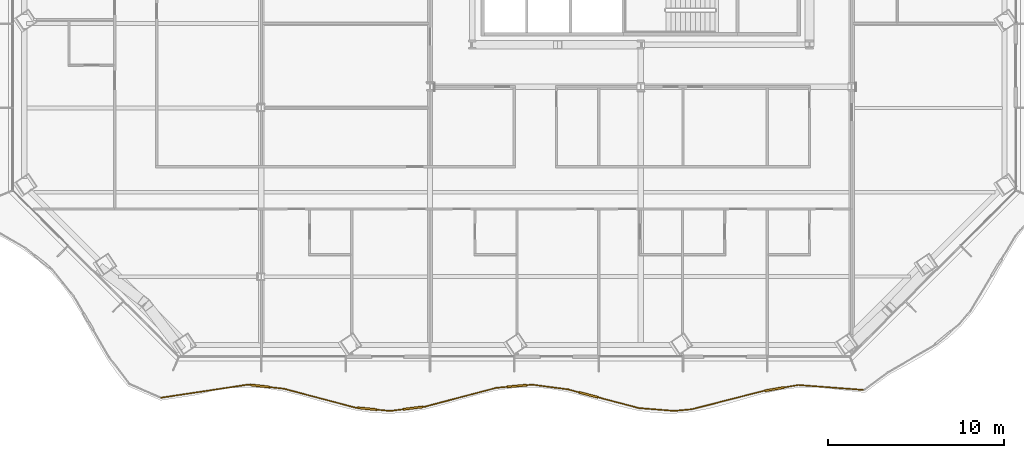
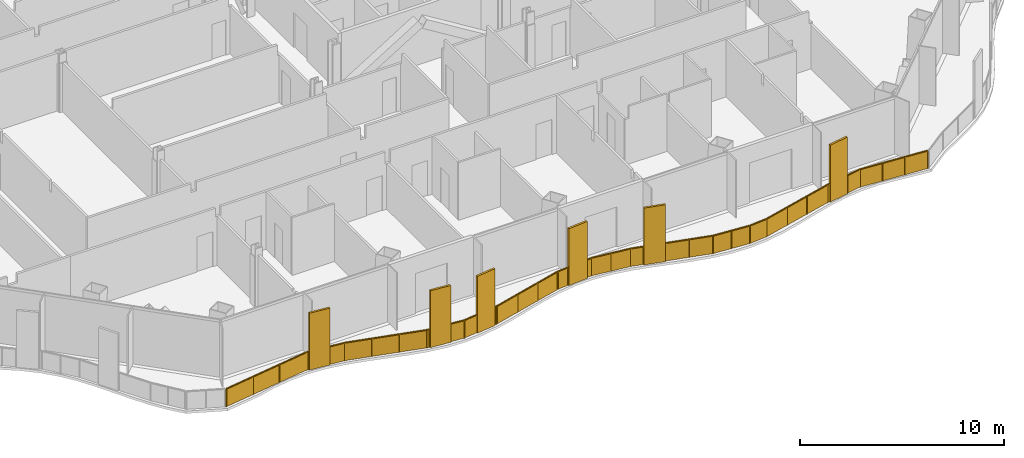
# One storey, part 15 of 20: 1 railing.
"""IFC4 building model written with IfcOpenShell, lengths in metres."""

from ifc_helpers import new_model, si_unit, direction, frame, origin, origin_2d, place, context, subcontext, project, spatial, polyline, rectangle, outline, extrude, material, type_object, element, save


model = new_model("IFC4")

# Units and contexts
model_context = context("Model", 3, precision=1e-05, world=origin(), true_north=direction((0.0, 1.0)))
body_context = subcontext(model_context, "Body", "Model", "MODEL_VIEW")
ifc_project = project(units=[si_unit("LENGTHUNIT", "METRE"), si_unit("AREAUNIT", "SQUARE_METRE"), si_unit("VOLUMEUNIT", "CUBIC_METRE"), si_unit("PLANEANGLEUNIT", "RADIAN"), si_unit("MASSUNIT", "GRAM", prefix="KILO")], contexts=[model_context])

# Site, building, storey
site_placement = place(None, origin())
site = spatial("IfcSite", under=ifc_project, at=site_placement, CompositionType="ELEMENT")
building_placement = place(site_placement, origin())
building = spatial("IfcBuilding", under=site, at=building_placement, Name="Cairn Pilgrim Tower", CompositionType="ELEMENT")
storey_placement = place(building_placement, frame((0.0, 0.0, 87.0)))
storey = spatial("IfcBuildingStorey", under=building, at=storey_placement, Name="L20", CompositionType="ELEMENT", Elevation=87.0)

# Railing
ifc_material = material(Name="Bronze anodised aluminium rail, posts and fin screens with laminated glass infill", Category="aluminium")
railing_type = type_object("IfcRailingType", Name="BALCONY GUARD WITH FIN SCREENS", PredefinedType="GUARDRAIL", material=ifc_material)
railing_placement = place(storey_placement, frame((-20.111572265625, -26.09521484375, 0.0)))
element("IfcRailing", 1, at=railing_placement, inside=storey, type_object=railing_type, Name="Balcony guard BGF-1 with fin screens", PredefinedType="GUARDRAIL", context=body_context, shape_type="SweptSolid", body=[
    extrude(rectangle(XDim=0.050048828125, YDim=0.050048828125, at=origin_2d()), frame((0.0, 0.0, 1.0751953125), z_axis=(0.988827717566, 0.149062889324, 0.0), x_axis=(-0.149062889324, 0.988827717566, 0.0)), (0.0, 0.0, 1.0), 5.0068359375),
    extrude(rectangle(XDim=1.10009765625, YDim=0.110107421875, at=origin_2d()), frame((5.646484375, 0.666259765625, 0.0), z_axis=(0.0, 0.0, 1.0), x_axis=(0.99343169529, -0.114426687416, 0.0)), (0.0, 0.0, 1.0), 3.39990234375),
    extrude(rectangle(XDim=0.050048828125, YDim=0.050048828125, at=origin_2d()), frame((4.950927734375, 0.746337890625, 1.0751953125), z_axis=(0.99343169529, -0.114426687416, 0.0), x_axis=(0.114426687416, 0.99343169529, 0.0)), (0.0, 0.0, 1.0), 0.150146484375),
    extrude(rectangle(XDim=0.050048828125, YDim=0.050048828125, at=origin_2d()), frame((6.19287109375, 0.603271484375, 1.0751953125), z_axis=(0.99343169529, -0.114426687416, 0.0), x_axis=(0.114426687416, 0.99343169529, 0.0)), (0.0, 0.0, 1.0), 0.815185546875),
    extrude(rectangle(XDim=0.050048828125, YDim=0.050048828125, at=origin_2d()), frame((7.002685546875, 0.510009765625, 1.0751953125), z_axis=(0.966779559823, -0.255611585631, 0.0), x_axis=(0.255611585631, 0.966779559823, 0.0)), (0.0, 0.0, 1.0), 4.1796875),
    extrude(rectangle(XDim=1.10009765625, YDim=0.110107421875, at=origin_2d()), frame((11.740234375, -0.62646484375, 0.0), z_axis=(0.0, 0.0, 1.0), x_axis=(0.99526514308, -0.097197196304, 0.0)), (0.0, 0.0, 1.0), 3.39990234375),
    extrude(rectangle(XDim=0.050048828125, YDim=0.050048828125, at=origin_2d()), frame((11.04345703125, -0.558349609375, 1.0751953125), z_axis=(0.99526514308, -0.097197196304, 0.0), x_axis=(0.097197196304, 0.99526514308, 0.0)), (0.0, 0.0, 1.0), 0.150146484375),
    extrude(rectangle(XDim=0.050048828125, YDim=0.050048828125, at=origin_2d()), frame((12.28759765625, -0.679931640625, 1.0751953125), z_axis=(0.99526514308, -0.097197196304, 0.0), x_axis=(0.097197196304, 0.99526514308, 0.0)), (0.0, 0.0, 1.0), 0.751708984375),
    extrude(rectangle(XDim=1.10009765625, YDim=0.110107421875, at=origin_2d()), frame((14.3359375, -0.591796875, 0.0), z_axis=(0.0, 0.0, 1.0), x_axis=(0.992415549692, 0.122928339815, 0.0)), (0.0, 0.0, 1.0), 3.39990234375),
    extrude(rectangle(XDim=0.050048828125, YDim=0.050048828125, at=origin_2d()), frame((13.035888671875, -0.7529296875, 1.0751953125), z_axis=(0.992415549692, 0.122928339815, 0.0), x_axis=(-0.122928339815, 0.992415549692, 0.0)), (0.0, 0.0, 1.0), 0.759765625),
    extrude(rectangle(XDim=0.050048828125, YDim=0.050048828125, at=origin_2d()), frame((14.881591796875, -0.5244140625, 1.0751953125), z_axis=(0.992415549692, 0.122928339815, 0.0), x_axis=(-0.122928339815, 0.992415549692, 0.0)), (0.0, 0.0, 1.0), 0.14990234375),
    extrude(rectangle(XDim=0.050048828125, YDim=0.050048828125, at=origin_2d()), frame((15.030517578125, -0.505859375, 1.0751953125), z_axis=(0.966883758121, 0.255217159067, 0.0), x_axis=(-0.255217159067, 0.966883758121, 0.0)), (0.0, 0.0, 1.0), 4.18310546875),
    extrude(rectangle(XDim=1.10009765625, YDim=0.110107421875, at=origin_2d()), frame((20.260498046875, 0.666748046875, 0.0), z_axis=(0.0, 0.0, 1.0), x_axis=(0.996097709012, 0.088257317554, 0.0)), (0.0, 0.0, 1.0), 3.39990234375),
    extrude(rectangle(XDim=0.050048828125, YDim=0.050048828125, at=origin_2d()), frame((19.0751953125, 0.561767578125, 1.0751953125), z_axis=(0.996097709012, 0.088257317554, 0.0), x_axis=(-0.088257317554, 0.996097709012, 0.0)), (0.0, 0.0, 1.0), 0.639892578125),
    extrude(rectangle(XDim=0.050048828125, YDim=0.050048828125, at=origin_2d()), frame((20.808349609375, 0.71533203125, 1.0751953125), z_axis=(0.996097709012, 0.088257317554, 0.0), x_axis=(-0.088257317554, 0.996097709012, 0.0)), (0.0, 0.0, 1.0), 0.318115234375),
    extrude(rectangle(XDim=0.050048828125, YDim=0.050048828125, at=origin_2d()), frame((21.125244140625, 0.743408203125, 1.0751953125), z_axis=(0.991364715307, -0.131133524484, 0.0), x_axis=(0.131133524484, 0.991364715307, 0.0)), (0.0, 0.0, 1.0), 2.064697265625),
    extrude(rectangle(XDim=1.10009765625, YDim=0.110107421875, at=origin_2d()), frame((24.337890625, 0.165771484375, 0.0), z_axis=(0.0, 0.0, 1.0), x_axis=(0.967044238459, -0.254608406897, 0.0)), (0.0, 0.0, 1.0), 3.39990234375),
    extrude(rectangle(XDim=0.050048828125, YDim=0.050048828125, at=origin_2d()), frame((23.172119140625, 0.47265625, 1.0751953125), z_axis=(0.967044238459, -0.254608406897, 0.0), x_axis=(0.254608406897, 0.967044238459, 0.0)), (0.0, 0.0, 1.0), 0.655517578125),
    extrude(rectangle(XDim=0.050048828125, YDim=0.050048828125, at=origin_2d()), frame((24.869873046875, 0.025634765625, 1.0751953125), z_axis=(0.967044238459, -0.254608406897, 0.0), x_axis=(0.254608406897, 0.967044238459, 0.0)), (0.0, 0.0, 1.0), 2.42041015625),
    extrude(rectangle(XDim=0.050048828125, YDim=0.050048828125, at=origin_2d()), frame((27.21044921875, -0.590576171875, 1.0751953125), z_axis=(0.996851633741, -0.079289471602, 0.0), x_axis=(0.079289471602, 0.996851633741, 0.0)), (0.0, 0.0, 1.0), 2.00146484375),
    extrude(rectangle(XDim=0.050048828125, YDim=0.050048828125, at=origin_2d()), frame((29.20556640625, -0.749267578125, 1.0751953125), z_axis=(0.995939573167, 0.090024255623, 0.0), x_axis=(-0.090024255623, 0.995939573167, 0.0)), (0.0, 0.0, 1.0), 0.98974609375),
    extrude(rectangle(XDim=0.050048828125, YDim=0.050048828125, at=origin_2d()), frame((30.19140625, -0.66015625, 1.0751953125), z_axis=(0.968902764262, 0.247441777808, 0.0), x_axis=(-0.247441777808, 0.968902764262, 0.0)), (0.0, 0.0, 1.0), 4.165771484375),
    extrude(rectangle(XDim=1.10009765625, YDim=0.110107421875, at=origin_2d()), frame((34.91748046875, 0.489501953125, 0.0), z_axis=(0.0, 0.0, 1.0), x_axis=(0.985466228014, 0.169871461532, 0.0)), (0.0, 0.0, 1.0), 3.39990234375),
    extrude(rectangle(XDim=0.050048828125, YDim=0.050048828125, at=origin_2d()), frame((34.2275390625, 0.37060546875, 1.0751953125), z_axis=(0.985466228014, 0.169871461532, 0.0), x_axis=(-0.169871461532, 0.985466228014, 0.0)), (0.0, 0.0, 1.0), 0.150146484375),
    extrude(rectangle(XDim=0.050048828125, YDim=0.050048828125, at=origin_2d()), frame((35.45947265625, 0.5830078125, 1.0751953125), z_axis=(0.985466228014, 0.169871461532, 0.0), x_axis=(-0.169871461532, 0.985466228014, 0.0)), (0.0, 0.0, 1.0), 0.8251953125),
    extrude(rectangle(XDim=0.050048828125, YDim=0.050048828125, at=origin_2d()), frame((36.272705078125, 0.72314453125, 1.0751953125), z_axis=(0.997148567505, -0.075463463492, 0.0), x_axis=(0.075463463492, 0.997148567505, 0.0)), (0.0, 0.0, 1.0), 3.694580078125),
    extrude(rectangle(XDim=0.050048828125, YDim=0.050048828125, at=origin_2d()), origin(), (0.0, 0.0, 1.0), 1.050048828125),
    extrude(rectangle(XDim=0.050048828125, YDim=0.050048828125, at=origin_2d()), frame((1.650390625, 0.248779296875, 0.0)), (0.0, 0.0, 1.0), 1.050048828125),
    extrude(rectangle(XDim=0.050048828125, YDim=0.050048828125, at=origin_2d()), frame((3.300537109375, 0.49755859375, 0.0)), (0.0, 0.0, 1.0), 1.050048828125),
    extrude(rectangle(XDim=0.050048828125, YDim=0.050048828125, at=origin_2d()), frame((4.950927734375, 0.746337890625, 0.0)), (0.0, 0.0, 1.0), 1.050048828125),
    extrude(rectangle(XDim=0.050048828125, YDim=0.050048828125, at=origin_2d()), frame((5.0751953125, 0.73193359375, 0.0)), (0.0, 0.0, 1.0), 1.050048828125),
    extrude(rectangle(XDim=0.050048828125, YDim=0.050048828125, at=origin_2d()), frame((6.2177734375, 0.600341796875, 0.0)), (0.0, 0.0, 1.0), 1.050048828125),
    extrude(rectangle(XDim=0.050048828125, YDim=0.050048828125, at=origin_2d()), frame((7.002685546875, 0.510009765625, 0.0)), (0.0, 0.0, 1.0), 1.050048828125),
    extrude(rectangle(XDim=0.050048828125, YDim=0.050048828125, at=origin_2d()), frame((8.349609375, 0.15380859375, 0.0)), (0.0, 0.0, 1.0), 1.050048828125),
    extrude(rectangle(XDim=0.050048828125, YDim=0.050048828125, at=origin_2d()), frame((9.696533203125, -0.2021484375, 0.0)), (0.0, 0.0, 1.0), 1.050048828125),
    extrude(rectangle(XDim=0.050048828125, YDim=0.050048828125, at=origin_2d()), frame((11.04345703125, -0.558349609375, 0.0)), (0.0, 0.0, 1.0), 1.050048828125),
    extrude(rectangle(XDim=0.050048828125, YDim=0.050048828125, at=origin_2d()), frame((11.16796875, -0.570556640625, 0.0)), (0.0, 0.0, 1.0), 1.050048828125),
    extrude(rectangle(XDim=0.050048828125, YDim=0.050048828125, at=origin_2d()), frame((12.3125, -0.682373046875, 0.0)), (0.0, 0.0, 1.0), 1.050048828125),
    extrude(rectangle(XDim=0.050048828125, YDim=0.050048828125, at=origin_2d()), frame((13.035888671875, -0.7529296875, 0.0)), (0.0, 0.0, 1.0), 1.050048828125),
    extrude(rectangle(XDim=0.050048828125, YDim=0.050048828125, at=origin_2d()), frame((13.76513671875, -0.66259765625, 0.0)), (0.0, 0.0, 1.0), 1.050048828125),
    extrude(rectangle(XDim=0.050048828125, YDim=0.050048828125, at=origin_2d()), frame((14.906494140625, -0.521240234375, 0.0)), (0.0, 0.0, 1.0), 1.050048828125),
    extrude(rectangle(XDim=0.050048828125, YDim=0.050048828125, at=origin_2d()), frame((15.030517578125, -0.505859375, 0.0)), (0.0, 0.0, 1.0), 1.050048828125),
    extrude(rectangle(XDim=0.050048828125, YDim=0.050048828125, at=origin_2d()), frame((16.378662109375, -0.14990234375, 0.0)), (0.0, 0.0, 1.0), 1.050048828125),
    extrude(rectangle(XDim=0.050048828125, YDim=0.050048828125, at=origin_2d()), frame((17.72705078125, 0.205810546875, 0.0)), (0.0, 0.0, 1.0), 1.050048828125),
    extrude(rectangle(XDim=0.050048828125, YDim=0.050048828125, at=origin_2d()), frame((19.0751953125, 0.561767578125, 0.0)), (0.0, 0.0, 1.0), 1.050048828125),
    extrude(rectangle(XDim=0.050048828125, YDim=0.050048828125, at=origin_2d()), frame((19.687744140625, 0.615966796875, 0.0)), (0.0, 0.0, 1.0), 1.050048828125),
    extrude(rectangle(XDim=0.050048828125, YDim=0.050048828125, at=origin_2d()), frame((20.833251953125, 0.717529296875, 0.0)), (0.0, 0.0, 1.0), 1.050048828125),
    extrude(rectangle(XDim=0.050048828125, YDim=0.050048828125, at=origin_2d()), frame((21.125244140625, 0.743408203125, 0.0)), (0.0, 0.0, 1.0), 1.050048828125),
    extrude(rectangle(XDim=0.050048828125, YDim=0.050048828125, at=origin_2d()), frame((22.148681640625, 0.60791015625, 0.0)), (0.0, 0.0, 1.0), 1.050048828125),
    extrude(rectangle(XDim=0.050048828125, YDim=0.050048828125, at=origin_2d()), frame((23.172119140625, 0.47265625, 0.0)), (0.0, 0.0, 1.0), 1.050048828125),
    extrude(rectangle(XDim=0.050048828125, YDim=0.050048828125, at=origin_2d()), frame((23.78173828125, 0.31201171875, 0.0)), (0.0, 0.0, 1.0), 1.050048828125),
    extrude(rectangle(XDim=0.050048828125, YDim=0.050048828125, at=origin_2d()), frame((24.89404296875, 0.019287109375, 0.0)), (0.0, 0.0, 1.0), 1.050048828125),
    extrude(rectangle(XDim=0.050048828125, YDim=0.050048828125, at=origin_2d()), frame((26.05224609375, -0.28564453125, 0.0)), (0.0, 0.0, 1.0), 1.050048828125),
    extrude(rectangle(XDim=0.050048828125, YDim=0.050048828125, at=origin_2d()), frame((27.21044921875, -0.590576171875, 0.0)), (0.0, 0.0, 1.0), 1.050048828125),
    extrude(rectangle(XDim=0.050048828125, YDim=0.050048828125, at=origin_2d()), frame((28.2080078125, -0.669921875, 0.0)), (0.0, 0.0, 1.0), 1.050048828125),
    extrude(rectangle(XDim=0.050048828125, YDim=0.050048828125, at=origin_2d()), frame((29.20556640625, -0.749267578125, 0.0)), (0.0, 0.0, 1.0), 1.050048828125),
    extrude(rectangle(XDim=0.050048828125, YDim=0.050048828125, at=origin_2d()), frame((30.19140625, -0.66015625, 0.0)), (0.0, 0.0, 1.0), 1.050048828125),
    extrude(rectangle(XDim=0.050048828125, YDim=0.050048828125, at=origin_2d()), frame((31.536865234375, -0.316650390625, 0.0)), (0.0, 0.0, 1.0), 1.050048828125),
    extrude(rectangle(XDim=0.050048828125, YDim=0.050048828125, at=origin_2d()), frame((32.882080078125, 0.027099609375, 0.0)), (0.0, 0.0, 1.0), 1.050048828125),
    extrude(rectangle(XDim=0.050048828125, YDim=0.050048828125, at=origin_2d()), frame((34.2275390625, 0.37060546875, 0.0)), (0.0, 0.0, 1.0), 1.050048828125),
    extrude(rectangle(XDim=0.050048828125, YDim=0.050048828125, at=origin_2d()), frame((34.350830078125, 0.391845703125, 0.0)), (0.0, 0.0, 1.0), 1.050048828125),
    extrude(rectangle(XDim=0.050048828125, YDim=0.050048828125, at=origin_2d()), frame((35.484130859375, 0.587158203125, 0.0)), (0.0, 0.0, 1.0), 1.050048828125),
    extrude(rectangle(XDim=0.050048828125, YDim=0.050048828125, at=origin_2d()), frame((36.272705078125, 0.72314453125, 0.0)), (0.0, 0.0, 1.0), 1.050048828125),
    extrude(rectangle(XDim=0.050048828125, YDim=0.050048828125, at=origin_2d()), frame((37.500732421875, 0.630126953125, 0.0)), (0.0, 0.0, 1.0), 1.050048828125),
    extrude(rectangle(XDim=0.050048828125, YDim=0.050048828125, at=origin_2d()), frame((38.728759765625, 0.537353515625, 0.0)), (0.0, 0.0, 1.0), 1.050048828125),
    extrude(rectangle(XDim=0.050048828125, YDim=0.050048828125, at=origin_2d()), frame((39.956787109375, 0.4443359375, 0.0)), (0.0, 0.0, 1.0), 1.050048828125),
    extrude(outline(polyline([(0.02490234375, 0.0), (1.64404296875, 0.0), (1.64404296875, 1.050048828125), (0.02490234375, 1.050048828125), (0.02490234375, 0.0)])), frame((-0.0009765625, 0.005859375, 0.0), z_axis=(0.149062889324, -0.988827717566, 0.0), x_axis=(0.988827717566, 0.149062889324, 0.0)), (0.0, 0.0, 1.0), 0.011962890625),
    extrude(outline(polyline([(0.02490234375, 0.0), (1.64404296875, 0.0), (1.64404296875, 1.050048828125), (0.02490234375, 1.050048828125), (0.02490234375, 0.0)])), frame((1.6494140625, 0.254638671875, 0.0), z_axis=(0.149062889324, -0.988827717566, 0.0), x_axis=(0.988827717566, 0.149062889324, 0.0)), (0.0, 0.0, 1.0), 0.011962890625),
    extrude(outline(polyline([(0.02490234375, 0.0), (1.64404296875, 0.0), (1.64404296875, 1.050048828125), (0.02490234375, 1.050048828125), (0.02490234375, 0.0)])), frame((3.2998046875, 0.50341796875, 0.0), z_axis=(0.149062889324, -0.988827717566, 0.0), x_axis=(0.988827717566, 0.149062889324, 0.0)), (0.0, 0.0, 1.0), 0.011962890625),
    extrude(outline(polyline([(0.02490234375, 0.0), (0.10009765625, 0.0), (0.10009765625, 1.050048828125), (0.02490234375, 1.050048828125), (0.02490234375, 0.0)])), frame((4.95166015625, 0.752197265625, 0.0), z_axis=(-0.114426687416, -0.99343169529, 0.0), x_axis=(0.99343169529, -0.114426687416, 0.0)), (0.0, 0.0, 1.0), 0.011962890625),
    extrude(outline(polyline([(0.02490234375, 0.0), (0.76513671875, 0.0), (0.76513671875, 1.050048828125), (0.02490234375, 1.050048828125), (0.02490234375, 0.0)])), frame((6.218505859375, 0.6064453125, 0.0), z_axis=(-0.114426687416, -0.99343169529, 0.0), x_axis=(0.99343169529, -0.114426687416, 0.0)), (0.0, 0.0, 1.0), 0.011962890625),
    extrude(outline(polyline([(0.02490234375, 0.0), (1.3681640625, 0.0), (1.3681640625, 1.050048828125), (0.02490234375, 1.050048828125), (0.02490234375, 0.0)])), frame((7.004150390625, 0.515869140625, 0.0), z_axis=(-0.255611585631, -0.966779559823, 0.0), x_axis=(0.966779559823, -0.255611585631, 0.0)), (0.0, 0.0, 1.0), 0.011962890625),
    extrude(outline(polyline([(0.02490234375, 0.0), (1.3681640625, 0.0), (1.3681640625, 1.050048828125), (0.02490234375, 1.050048828125), (0.02490234375, 0.0)])), frame((8.35107421875, 0.15966796875, 0.0), z_axis=(-0.255611585631, -0.966779559823, 0.0), x_axis=(0.966779559823, -0.255611585631, 0.0)), (0.0, 0.0, 1.0), 0.011962890625),
    extrude(outline(polyline([(0.02490234375, 0.0), (1.3681640625, 0.0), (1.3681640625, 1.050048828125), (0.02490234375, 1.050048828125), (0.02490234375, 0.0)])), frame((9.697998046875, -0.196533203125, 0.0), z_axis=(-0.255611585631, -0.966779559823, 0.0), x_axis=(0.966779559823, -0.255611585631, 0.0)), (0.0, 0.0, 1.0), 0.011962890625),
    extrude(outline(polyline([(0.02490234375, 0.0), (0.10009765625, 0.0), (0.10009765625, 1.050048828125), (0.02490234375, 1.050048828125), (0.02490234375, 0.0)])), frame((11.0439453125, -0.552490234375, 0.0), z_axis=(-0.097197196304, -0.99526514308, 0.0), x_axis=(0.99526514308, -0.097197196304, 0.0)), (0.0, 0.0, 1.0), 0.011962890625),
    extrude(outline(polyline([(0.02490234375, 0.0), (0.70166015625, 0.0), (0.70166015625, 1.050048828125), (0.02490234375, 1.050048828125), (0.02490234375, 0.0)])), frame((12.313232421875, -0.67626953125, 0.0), z_axis=(-0.097197196304, -0.99526514308, 0.0), x_axis=(0.99526514308, -0.097197196304, 0.0)), (0.0, 0.0, 1.0), 0.011962890625),
    extrude(outline(polyline([(0.02490234375, 0.0), (0.709716796875, 0.0), (0.709716796875, 1.050048828125), (0.02490234375, 1.050048828125), (0.02490234375, 0.0)])), frame((13.03515625, -0.7470703125, 0.0), z_axis=(0.122928339815, -0.992415549692, 0.0), x_axis=(0.992415549692, 0.122928339815, 0.0)), (0.0, 0.0, 1.0), 0.011962890625),
    extrude(outline(polyline([(0.02490234375, 0.0), (0.099853515625, 0.0), (0.099853515625, 1.050048828125), (0.02490234375, 1.050048828125), (0.02490234375, 0.0)])), frame((14.90576171875, -0.515380859375, 0.0), z_axis=(0.122928339815, -0.992415549692, 0.0), x_axis=(0.992415549692, 0.122928339815, 0.0)), (0.0, 0.0, 1.0), 0.011962890625),
    extrude(outline(polyline([(0.02490234375, 0.0), (1.369384765625, 0.0), (1.369384765625, 1.050048828125), (0.02490234375, 1.050048828125), (0.02490234375, 0.0)])), frame((15.029052734375, -0.5, 0.0), z_axis=(0.255217159067, -0.966883758121, 0.0), x_axis=(0.966883758121, 0.255217159067, 0.0)), (0.0, 0.0, 1.0), 0.011962890625),
    extrude(outline(polyline([(0.02490234375, 0.0), (1.369384765625, 0.0), (1.369384765625, 1.050048828125), (0.02490234375, 1.050048828125), (0.02490234375, 0.0)])), frame((16.377197265625, -0.144287109375, 0.0), z_axis=(0.255217159067, -0.966883758121, 0.0), x_axis=(0.966883758121, 0.255217159067, 0.0)), (0.0, 0.0, 1.0), 0.011962890625),
    extrude(outline(polyline([(0.02490234375, 0.0), (1.369384765625, 0.0), (1.369384765625, 1.050048828125), (0.02490234375, 1.050048828125), (0.02490234375, 0.0)])), frame((17.725341796875, 0.211669921875, 0.0), z_axis=(0.255217159067, -0.966883758121, 0.0), x_axis=(0.966883758121, 0.255217159067, 0.0)), (0.0, 0.0, 1.0), 0.011962890625),
    extrude(outline(polyline([(0.02490234375, 0.0), (0.58984375, 0.0), (0.58984375, 1.050048828125), (0.02490234375, 1.050048828125), (0.02490234375, 0.0)])), frame((19.07470703125, 0.567626953125, 0.0), z_axis=(0.088257317554, -0.996097709012, 0.0), x_axis=(0.996097709012, 0.088257317554, 0.0)), (0.0, 0.0, 1.0), 0.011962890625),
    extrude(outline(polyline([(0.02490234375, 0.0), (0.26806640625, 0.0), (0.26806640625, 1.050048828125), (0.02490234375, 1.050048828125), (0.02490234375, 0.0)])), frame((20.832763671875, 0.723388671875, 0.0), z_axis=(0.088257317554, -0.996097709012, 0.0), x_axis=(0.996097709012, 0.088257317554, 0.0)), (0.0, 0.0, 1.0), 0.011962890625),
    extrude(outline(polyline([(0.02490234375, 0.0), (1.00732421875, 0.0), (1.00732421875, 1.050048828125), (0.02490234375, 1.050048828125), (0.02490234375, 0.0)])), frame((21.1259765625, 0.749267578125, 0.0), z_axis=(-0.131133524484, -0.991364715307, 0.0), x_axis=(0.991364715307, -0.131133524484, 0.0)), (0.0, 0.0, 1.0), 0.011962890625),
    extrude(outline(polyline([(0.02490234375, 0.0), (1.00732421875, 0.0), (1.00732421875, 1.050048828125), (0.02490234375, 1.050048828125), (0.02490234375, 0.0)])), frame((22.1494140625, 0.614013671875, 0.0), z_axis=(-0.131133524484, -0.991364715307, 0.0), x_axis=(0.991364715307, -0.131133524484, 0.0)), (0.0, 0.0, 1.0), 0.011962890625),
    extrude(outline(polyline([(0.02490234375, 0.0), (0.60546875, 0.0), (0.60546875, 1.050048828125), (0.02490234375, 1.050048828125), (0.02490234375, 0.0)])), frame((23.173583984375, 0.478515625, 0.0), z_axis=(-0.254608406897, -0.967044238459, 0.0), x_axis=(0.967044238459, -0.254608406897, 0.0)), (0.0, 0.0, 1.0), 0.011962890625),
    extrude(outline(polyline([(0.02490234375, 0.0), (1.172607421875, 0.0), (1.172607421875, 1.050048828125), (0.02490234375, 1.050048828125), (0.02490234375, 0.0)])), frame((24.8955078125, 0.025146484375, 0.0), z_axis=(-0.254608406897, -0.967044238459, 0.0), x_axis=(0.967044238459, -0.254608406897, 0.0)), (0.0, 0.0, 1.0), 0.011962890625),
    extrude(outline(polyline([(0.02490234375, 0.0), (1.172607421875, 0.0), (1.172607421875, 1.050048828125), (0.02490234375, 1.050048828125), (0.02490234375, 0.0)])), frame((26.0537109375, -0.27978515625, 0.0), z_axis=(-0.254608406897, -0.967044238459, 0.0), x_axis=(0.967044238459, -0.254608406897, 0.0)), (0.0, 0.0, 1.0), 0.011962890625),
    extrude(outline(polyline([(0.02490234375, 0.0), (0.9755859375, 0.0), (0.9755859375, 1.050048828125), (0.02490234375, 1.050048828125), (0.02490234375, 0.0)])), frame((27.2109375, -0.584716796875, 0.0), z_axis=(-0.079289471602, -0.996851633741, 0.0), x_axis=(0.996851633741, -0.079289471602, 0.0)), (0.0, 0.0, 1.0), 0.011962890625),
    extrude(outline(polyline([(0.02490234375, 0.0), (0.9755859375, 0.0), (0.9755859375, 1.050048828125), (0.02490234375, 1.050048828125), (0.02490234375, 0.0)])), frame((28.20849609375, -0.6640625, 0.0), z_axis=(-0.079289471602, -0.996851633741, 0.0), x_axis=(0.996851633741, -0.079289471602, 0.0)), (0.0, 0.0, 1.0), 0.011962890625),
    extrude(outline(polyline([(0.02490234375, 0.0), (0.96484375, 0.0), (0.96484375, 1.050048828125), (0.02490234375, 1.050048828125), (0.02490234375, 0.0)])), frame((29.205078125, -0.743408203125, 0.0), z_axis=(0.090024255623, -0.995939573167, 0.0), x_axis=(0.995939573167, 0.090024255623, 0.0)), (0.0, 0.0, 1.0), 0.011962890625),
    extrude(outline(polyline([(0.02490234375, 0.0), (1.363525390625, 0.0), (1.363525390625, 1.050048828125), (0.02490234375, 1.050048828125), (0.02490234375, 0.0)])), frame((30.18994140625, -0.654296875, 0.0), z_axis=(0.247441777808, -0.968902764262, 0.0), x_axis=(0.968902764262, 0.247441777808, 0.0)), (0.0, 0.0, 1.0), 0.011962890625),
    extrude(outline(polyline([(0.02490234375, 0.0), (1.363525390625, 0.0), (1.363525390625, 1.050048828125), (0.02490234375, 1.050048828125), (0.02490234375, 0.0)])), frame((31.535400390625, -0.310791015625, 0.0), z_axis=(0.247441777808, -0.968902764262, 0.0), x_axis=(0.968902764262, 0.247441777808, 0.0)), (0.0, 0.0, 1.0), 0.011962890625),
    extrude(outline(polyline([(0.02490234375, 0.0), (1.363525390625, 0.0), (1.363525390625, 1.050048828125), (0.02490234375, 1.050048828125), (0.02490234375, 0.0)])), frame((32.880615234375, 0.03271484375, 0.0), z_axis=(0.247441777808, -0.968902764262, 0.0), x_axis=(0.968902764262, 0.247441777808, 0.0)), (0.0, 0.0, 1.0), 0.011962890625),
    extrude(outline(polyline([(0.02490234375, 0.0), (0.10009765625, 0.0), (0.10009765625, 1.050048828125), (0.02490234375, 1.050048828125), (0.02490234375, 0.0)])), frame((34.2265625, 0.37646484375, 0.0), z_axis=(0.169871461532, -0.985466228014, 0.0), x_axis=(0.985466228014, 0.169871461532, 0.0)), (0.0, 0.0, 1.0), 0.011962890625),
    extrude(outline(polyline([(0.02490234375, 0.0), (0.775146484375, 0.0), (0.775146484375, 1.050048828125), (0.02490234375, 1.050048828125), (0.02490234375, 0.0)])), frame((35.483154296875, 0.593017578125, 0.0), z_axis=(0.169871461532, -0.985466228014, 0.0), x_axis=(0.985466228014, 0.169871461532, 0.0)), (0.0, 0.0, 1.0), 0.011962890625),
    extrude(outline(polyline([(0.02490234375, 0.0), (1.20654296875, 0.0), (1.20654296875, 1.050048828125), (0.02490234375, 1.050048828125), (0.02490234375, 0.0)])), frame((36.273193359375, 0.72900390625, 0.0), z_axis=(-0.075463463492, -0.997148567505, 0.0), x_axis=(0.997148567505, -0.075463463492, 0.0)), (0.0, 0.0, 1.0), 0.011962890625),
    extrude(outline(polyline([(0.02490234375, 0.0), (1.20654296875, 0.0), (1.20654296875, 1.050048828125), (0.02490234375, 1.050048828125), (0.02490234375, 0.0)])), frame((37.501220703125, 0.63623046875, 0.0), z_axis=(-0.075463463492, -0.997148567505, 0.0), x_axis=(0.997148567505, -0.075463463492, 0.0)), (0.0, 0.0, 1.0), 0.011962890625),
    extrude(outline(polyline([(0.02490234375, 0.0), (1.20654296875, 0.0), (1.20654296875, 1.050048828125), (0.02490234375, 1.050048828125), (0.02490234375, 0.0)])), frame((38.729248046875, 0.543212890625, 0.0), z_axis=(-0.075463463492, -0.997148567505, 0.0), x_axis=(0.997148567505, -0.075463463492, 0.0)), (0.0, 0.0, 1.0), 0.011962890625),
])

save(model, "model.ifc")
